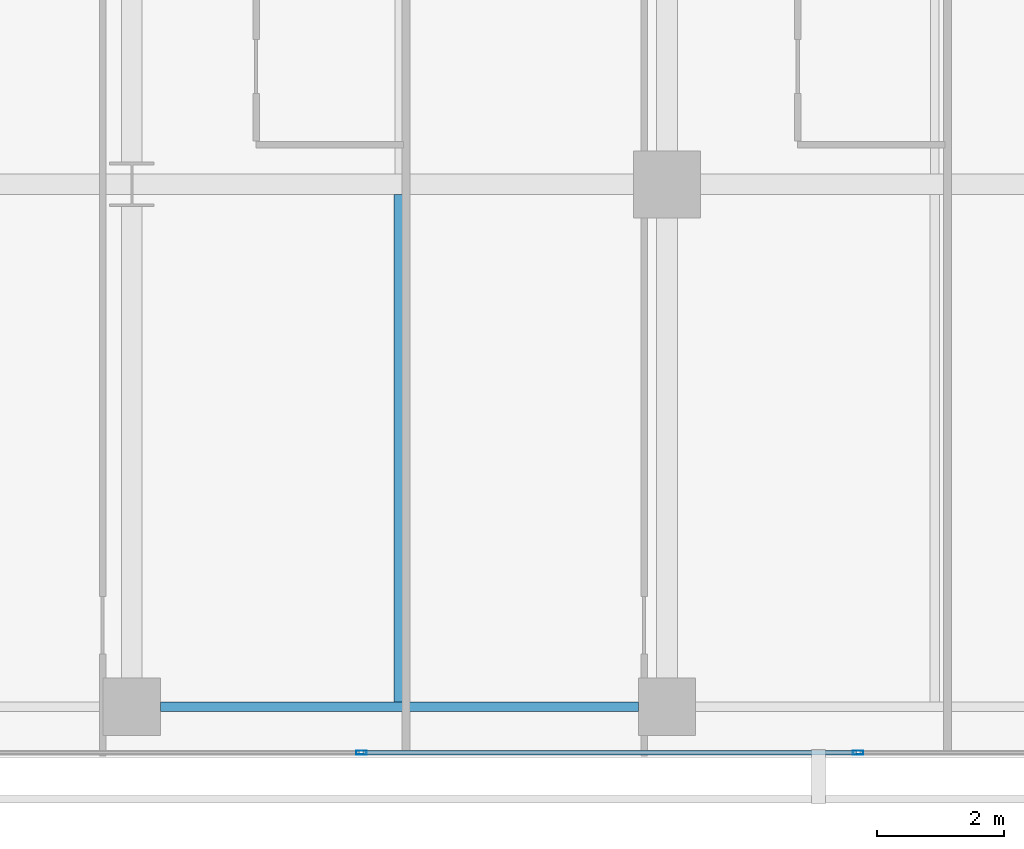
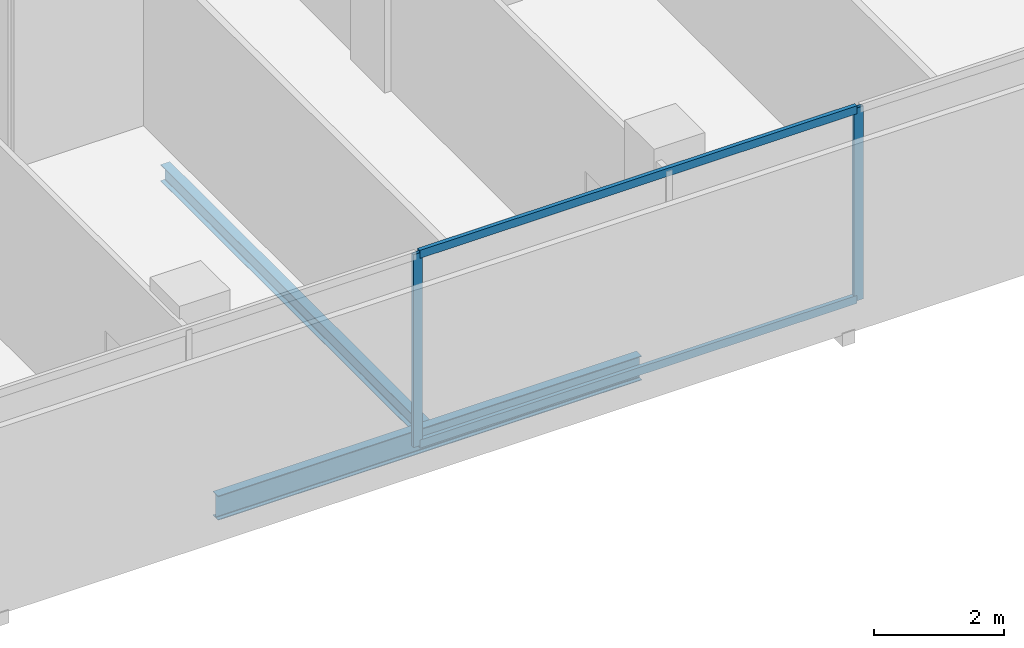
# One storey, part 14 of 40: 4 members, 2 beams, 1 element without a shape of its own.
"""IFC4 building model written with IfcOpenShell, lengths in metres."""

from ifc_helpers import new_model, si_unit, direction, frame, origin, origin_2d, place, context, subcontext, project, spatial, hollow_rectangle, i_section, extrude, material, layer, layer_set, material_profile, profile_set, type_object, element, aggregate, save


model = new_model("IFC4")

# Units and contexts
model_context = context("Model", 3, precision=1e-05, world=origin(), true_north=direction((0.0, 1.0)))
body_context = subcontext(model_context, "Body", "Model", "MODEL_VIEW")
ifc_project = project(units=[si_unit("LENGTHUNIT", "METRE"), si_unit("AREAUNIT", "SQUARE_METRE"), si_unit("VOLUMEUNIT", "CUBIC_METRE"), si_unit("PLANEANGLEUNIT", "RADIAN"), si_unit("MASSUNIT", "GRAM", prefix="KILO")], contexts=[model_context])

# Site, building, storey
site_placement = place(None, origin())
site = spatial("IfcSite", under=ifc_project, at=site_placement, CompositionType="ELEMENT")
building_placement = place(site_placement, origin())
building = spatial("IfcBuilding", under=site, at=building_placement, Name="Maruvema Waterfront Hotel and Observation Tower", CompositionType="ELEMENT")
storey_placement = place(building_placement, frame((0.0, 0.0, 88.550048828125)))
storey = spatial("IfcBuildingStorey", under=building, at=storey_placement, Name="L21", CompositionType="ELEMENT", Elevation=88.550048828125)

# Curtain wall, members
ifc_material_1 = material(Name="Anodised bronze aluminium and solar-control low-E IGU", Category="aluminium")
ifc_layer = layer(ifc_material_1, 0.159912109375, Name="Zone 1 Bronze Inner Thermal Curtain Wall System CW-02")
ifc_layer_set = layer_set([ifc_layer], Name="Anodised bronze aluminium and solar-control low-E IGU")
curtain_wall_type = type_object("IfcCurtainWallType", Name="Zone 1 Bronze Inner Thermal Curtain Wall System CW-02", PredefinedType="USERDEFINED", material=ifc_layer_set)
curtain_wall_placement = place(storey_placement, origin())
curtain_wall = element("IfcCurtainWall", 1, at=curtain_wall_placement, inside=storey, type_object=curtain_wall_type, Name="L21 Curtain Wall CW-L21-S", ObjectType="UNITISED CURTAIN WALL", PredefinedType="USERDEFINED")
ifc_material_2 = material(Name="Anodised architectural bronze aluminium", Category="aluminium")
ifc_material_profile_1 = material_profile(ifc_material_2, hollow_rectangle(XDim=0.070068359375, YDim=0.14990234375, WallThickness=0.00390625, at=origin_2d()), Name="ALU-T70x150")
ifc_profile_set_1 = profile_set([ifc_material_profile_1], Name="Anodised architectural bronze aluminium")
member_type_1 = type_object("IfcMemberType", Name="Curtain Wall Horizontal Transom ALU-T70x150", PredefinedType="USERDEFINED", material=ifc_profile_set_1)
member_1_placement = place(storey_placement, frame((45.6298828125, 0.080078125, 0.030029296875), z_axis=(1.0, 0.0, 0.0), x_axis=(0.0, 1.0, 0.0)))
member_1 = element("IfcMember", 2, at=member_1_placement, type_object=member_type_1, Name="CW-02 transom 5.1", ObjectType="TRANSOM", PredefinedType="USERDEFINED", context=body_context, shape_type="SweptSolid", body=[
    extrude(hollow_rectangle(XDim=0.070068359375, YDim=0.14990234375, WallThickness=0.00390625, at=origin_2d()), origin(), (0.0, 0.0, 1.0), 7.740234375),
])
member_2_placement = place(storey_placement, frame((45.6298828125, 0.080078125, 3.579833984375), z_axis=(1.0, 0.0, 0.0), x_axis=(0.0, 1.0, 0.0)))
member_2 = element("IfcMember", 3, at=member_2_placement, type_object=member_type_1, Name="CW-02 transom 5.2", ObjectType="TRANSOM", PredefinedType="USERDEFINED", context=body_context, shape_type="SweptSolid", body=[
    extrude(hollow_rectangle(XDim=0.070068359375, YDim=0.14990234375, WallThickness=0.00390625, at=origin_2d()), origin(), (0.0, 0.0, 1.0), 7.740234375),
])
ifc_material_3 = material(Name="Anodised architectural bronze aluminium", Category="aluminium")
ifc_material_profile_2 = material_profile(ifc_material_3, hollow_rectangle(XDim=0.06494140625, YDim=0.1650390625, WallThickness=0.00390625, at=origin_2d()), Name="ALU-M65x165")
ifc_profile_set_2 = profile_set([ifc_material_profile_2], Name="Anodised architectural bronze aluminium")
member_type_2 = type_object("IfcMemberType", Name="Curtain Wall Primary Mullion ALU-M65x165", PredefinedType="MULLION", material=ifc_profile_set_2)
member_3_placement = place(storey_placement, frame((45.60009765625, 0.080078125, 0.0), z_axis=(0.0, 0.0, 1.0), x_axis=(0.0, 1.0, 0.0)))
member_3 = element("IfcMember", 4, at=member_3_placement, type_object=member_type_2, Name="CW-02 mullion 5", PredefinedType="MULLION", context=body_context, shape_type="SweptSolid", body=[
    extrude(hollow_rectangle(XDim=0.06494140625, YDim=0.1650390625, WallThickness=0.00390625, at=origin_2d()), origin(), (0.0, 0.0, 1.0), 3.60986328125),
])
member_4_placement = place(storey_placement, frame((53.39990234375, 0.080078125, 0.0), z_axis=(0.0, 0.0, 1.0), x_axis=(0.0, 1.0, 0.0)))
member_4 = element("IfcMember", 5, at=member_4_placement, type_object=member_type_2, Name="CW-02 mullion 6", PredefinedType="MULLION", context=body_context, shape_type="SweptSolid", body=[
    extrude(hollow_rectangle(XDim=0.06494140625, YDim=0.1650390625, WallThickness=0.00390625, at=origin_2d()), origin(), (0.0, 0.0, 1.0), 3.60986328125),
])
aggregate(curtain_wall, [member_3, member_4, member_1, member_2])

# Beams
ifc_material_4 = material(Name="Steel ASTM A572 Grade 50", Category="steel")
ifc_material_profile_3 = material_profile(ifc_material_4, i_section(OverallWidth=0.153076171875, OverallDepth=0.455078125, WebThickness=0.008056640625, FlangeThickness=0.01318359375, FilletRadius=0.014892578125, at=origin_2d()), Name="W460x60.0")
ifc_profile_set_3 = profile_set([ifc_material_profile_3], Name="Steel ASTM A572 Grade 50")
beam_type_1 = type_object("IfcBeamType", Name="Perimeter Spandrel Beam W460x60.0", PredefinedType="SPANDREL", material=ifc_profile_set_3)
beam_1_placement = place(storey_placement, frame((42.449951171875, 0.800048828125, -0.467529296875), z_axis=(1.0, 0.0, 0.0), x_axis=(0.0, 1.0, 0.0)))
element("IfcBeam", 6, at=beam_1_placement, inside=storey, type_object=beam_type_1, Name="L21 Floor Girder EW-04", PredefinedType="SPANDREL", context=body_context, shape_type="SweptSolid", body=[
    extrude(i_section(OverallWidth=0.153076171875, OverallDepth=0.455078125, WebThickness=0.008056640625, FlangeThickness=0.01318359375, FilletRadius=0.014892578125, at=origin_2d()), origin(), (0.0, 0.0, 1.0), 7.5),
])
ifc_material_5 = material(Name="Steel ASTM A572 Grade 50", Category="steel")
ifc_material_profile_4 = material_profile(ifc_material_5, i_section(OverallWidth=0.1650390625, OverallDepth=0.31005859375, WebThickness=0.005859375, FlangeThickness=0.009765625, FilletRadius=0.012939453125, at=origin_2d()), Name="W310x38.7")
ifc_profile_set_4 = profile_set([ifc_material_profile_4], Name="Steel ASTM A572 Grade 50")
beam_type_2 = type_object("IfcBeamType", Name="Secondary Floor Joist W310x38.7", PredefinedType="JOIST", material=ifc_profile_set_4)
beam_2_placement = place(storey_placement, frame((46.199951171875, 0.87646484375, -0.39501953125), z_axis=(0.0, 1.0, 0.0), x_axis=(-1.0, 0.0, 0.0)))
element("IfcBeam", 7, at=beam_2_placement, inside=storey, type_object=beam_type_2, Name="L21 Secondary Floor Joist JS-14", PredefinedType="JOIST", context=body_context, shape_type="SweptSolid", body=[
    extrude(i_section(OverallWidth=0.1650390625, OverallDepth=0.31005859375, WebThickness=0.005859375, FlangeThickness=0.009765625, FilletRadius=0.012939453125, at=origin_2d()), origin(), (0.0, 0.0, 1.0), 7.96142578125),
])

save(model, "model.ifc")
